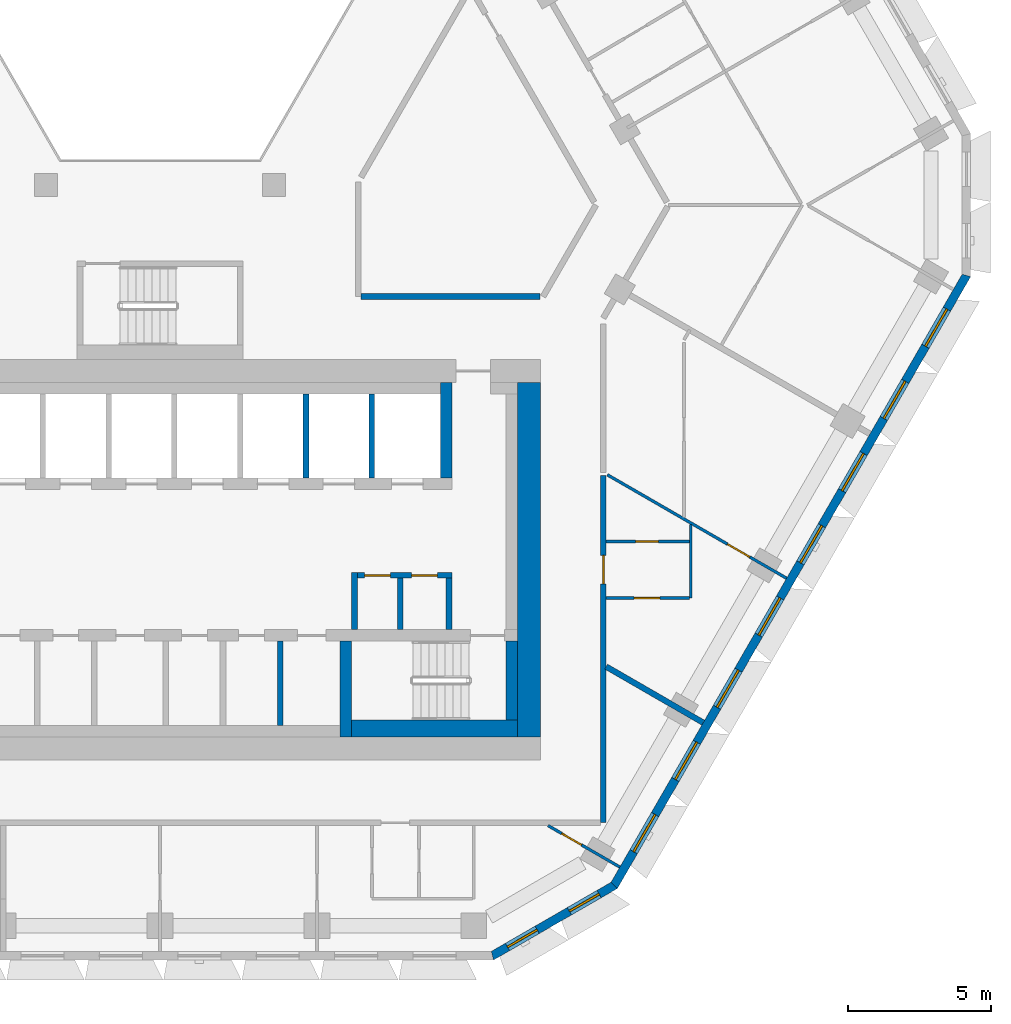
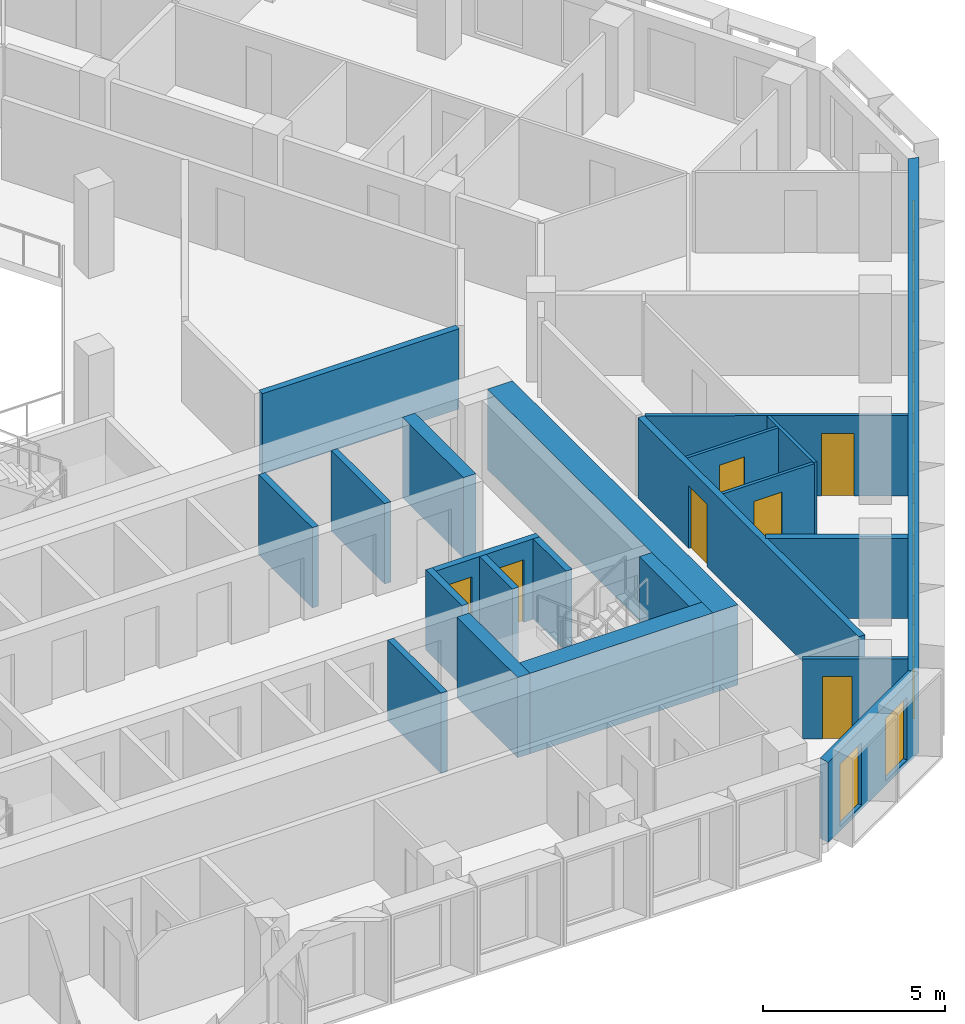
# One storey, part 6 of 18: 22 walls, 10 windows, 7 doors, 17 openings.
"""IFC4 building model written with IfcOpenShell, lengths in metres."""

from ifc_helpers import new_model, si_unit, direction, frame, frame_2d, origin, place, context, subcontext, project, spatial, polyline, rectangle, outline, extrude, material, layer, layer_set, type_object, element, fill, save


model = new_model("IFC4")

# Units and contexts
model_context = context("Model", 3, precision=1e-05, world=origin(), true_north=direction((0.0, 1.0)))
body_context = subcontext(model_context, "Body", "Model", "MODEL_VIEW")
ifc_project = project(units=[si_unit("LENGTHUNIT", "METRE"), si_unit("AREAUNIT", "SQUARE_METRE"), si_unit("VOLUMEUNIT", "CUBIC_METRE"), si_unit("PLANEANGLEUNIT", "RADIAN"), si_unit("MASSUNIT", "GRAM", prefix="KILO")], contexts=[model_context])

# Site, building, storey
site_placement = place(None, origin())
site = spatial("IfcSite", under=ifc_project, at=site_placement, CompositionType="ELEMENT")
building_placement = place(site_placement, origin())
building = spatial("IfcBuilding", under=site, at=building_placement, Name="Beryl Residences", CompositionType="ELEMENT")
storey_placement = place(building_placement, frame((0.0, 0.0, 138.60009765625)))
storey = spatial("IfcBuildingStorey", under=building, at=storey_placement, Name="L42", CompositionType="ELEMENT", Elevation=138.60009765625)

# Wall, openings, windows
ifc_material_1 = material(Name="Composite metal panel with mineral wool insulation")
ifc_layer_1 = layer(ifc_material_1, 0.300048828125)
ifc_layer_set_1 = layer_set([ifc_layer_1], Name="ES1 pale metal composite panel wall 300 mm")
wall_type_1 = type_object("IfcWallType", Name="ES1 pale metal composite panel wall 300 mm", PredefinedType="SOLIDWALL", material=ifc_layer_set_1)
wall_1_placement = place(storey_placement, frame((11.5869140625, -25.8701171875, 0.0), z_axis=(0.0, 0.0, 1.0), x_axis=(0.866022959057, 0.500004234368, 0.0)))
wall_1 = element("IfcWall", 1, at=wall_1_placement, inside=storey, type_object=wall_type_1, Name="ES1 external wall L42 S-SE", PredefinedType="SOLIDWALL", context=body_context, shape_type="SweptSolid", body=[
    extrude(outline(polyline([(0.0, -0.14990234375), (5.0, -0.14990234375), (4.919677734375, 0.14990234375), (0.080322265625, 0.14990234375), (0.0, -0.14990234375)])), origin(), (0.0, 0.0, 1.0), 2.699951171875),
])
opening_1_placement = place(wall_1_placement, frame((0.64990234375, 0.0, 0.14990234375)))
opening_1 = element("IfcOpeningElement", 2, at=opening_1_placement, cuts=wall_1, Name="Opening W2", PredefinedType="OPENING", context=body_context, shape_type="SweptSolid", body=[
    extrude(rectangle(XDim=1.199951171875, YDim=2.10009765625, at=frame_2d((0.60009765625, 1.050048828125))), frame((0.0, 0.159912109375, 0.0), z_axis=(0.0, -1.0, 0.0), x_axis=(1.0, 0.0, 0.0)), (0.0, 0.0, 1.0), 0.320068359375),
])
opening_2_placement = place(wall_1_placement, frame((3.14892578125, 0.0, 0.14990234375)))
opening_2 = element("IfcOpeningElement", 3, at=opening_2_placement, cuts=wall_1, Name="Opening W2", PredefinedType="OPENING", context=body_context, shape_type="SweptSolid", body=[
    extrude(rectangle(XDim=1.199951171875, YDim=2.10009765625, at=frame_2d((0.60009765625, 1.050048828125))), frame((0.0, 0.159912109375, 0.0), z_axis=(0.0, -1.0, 0.0), x_axis=(1.0, 0.0, 0.0)), (0.0, 0.0, 1.0), 0.320068359375),
])
ifc_material_2 = material(Name="Aluminium and clear glass", Category="aluminium")
window_type_1 = type_object("IfcWindowType", Name="W2 chamfer window 1200 x 2100 mm", PartitioningType="SINGLE_PANEL", PredefinedType="WINDOW", material=ifc_material_2)
window_1_placement = place(opening_1_placement, origin())
window_1 = element("IfcWindow", 4, at=window_1_placement, inside=storey, type_object=window_type_1, Name="W2 window L42 S-SE 1", OverallHeight=2.10009765625, OverallWidth=1.199951171875, PartitioningType="SINGLE_PANEL", PredefinedType="WINDOW", context=body_context, shape_type="SweptSolid", body=[
    extrude(rectangle(XDim=1.199951171875, YDim=2.10009765625, at=frame_2d((0.60009765625, 1.050048828125))), frame((0.0, 0.030029296875, 0.0), z_axis=(0.0, -1.0, 0.0), x_axis=(1.0, 0.0, 0.0)), (0.0, 0.0, 1.0), 0.06005859375),
])
fill(opening_1, window_1)
window_2_placement = place(opening_2_placement, origin())
window_2 = element("IfcWindow", 5, at=window_2_placement, inside=storey, type_object=window_type_1, Name="W2 window L42 S-SE 2", OverallHeight=2.10009765625, OverallWidth=1.199951171875, PartitioningType="SINGLE_PANEL", PredefinedType="WINDOW", context=body_context, shape_type="SweptSolid", body=[
    extrude(rectangle(XDim=1.199951171875, YDim=2.10009765625, at=frame_2d((0.60009765625, 1.050048828125))), frame((0.0, 0.030029296875, 0.0), z_axis=(0.0, -1.0, 0.0), x_axis=(1.0, 0.0, 0.0)), (0.0, 0.0, 1.0), 0.06005859375),
])
fill(opening_2, window_2)

wall_2_placement = place(storey_placement, frame((15.862060546875, -23.425048828125, 0.0), z_axis=(0.0, 0.0, 1.0), x_axis=(0.500017503135, 0.866015298109, 0.0)))
wall_2 = element("IfcWall", 6, at=wall_2_placement, inside=storey, type_object=wall_type_1, Name="ES1 external wall L42 SE", PredefinedType="SOLIDWALL", context=body_context, shape_type="SweptSolid", body=[
    extrude(outline(polyline([(0.0, -0.14990234375), (24.7109375, -0.14990234375), (24.630615234375, 0.14990234375), (0.080322265625, 0.14990234375), (0.0, -0.14990234375)])), origin(), (0.0, 0.0, 1.0), 2.699951171875),
])
opening_3_placement = place(wall_2_placement, frame((1.39990234375, 0.0, 0.14990234375)))
opening_3 = element("IfcOpeningElement", 7, at=opening_3_placement, cuts=wall_2, Name="Opening W1", PredefinedType="OPENING", context=body_context, shape_type="SweptSolid", body=[
    extrude(rectangle(XDim=1.5, YDim=2.10009765625, at=frame_2d((0.75, 1.050048828125))), frame((0.0, 0.159912109375, 0.0), z_axis=(0.0, -1.0, 0.0), x_axis=(1.0, 0.0, 0.0)), (0.0, 0.0, 1.0), 0.320068359375),
])
opening_4_placement = place(wall_2_placement, frame((4.31591796875, 0.0, 0.14990234375)))
opening_4 = element("IfcOpeningElement", 8, at=opening_4_placement, cuts=wall_2, Name="Opening W1", PredefinedType="OPENING", context=body_context, shape_type="SweptSolid", body=[
    extrude(rectangle(XDim=1.5, YDim=2.10009765625, at=frame_2d((0.75, 1.050048828125))), frame((0.0, 0.159912109375, 0.0), z_axis=(0.0, -1.0, 0.0), x_axis=(1.0, 0.0, 0.0)), (0.0, 0.0, 1.0), 0.320068359375),
])
opening_5_placement = place(wall_2_placement, frame((7.23095703125, 0.0, 0.14990234375)))
opening_5 = element("IfcOpeningElement", 9, at=opening_5_placement, cuts=wall_2, Name="Opening W1", PredefinedType="OPENING", context=body_context, shape_type="SweptSolid", body=[
    extrude(rectangle(XDim=1.5, YDim=2.10009765625, at=frame_2d((0.75, 1.050048828125))), frame((0.0, 0.159912109375, 0.0), z_axis=(0.0, -1.0, 0.0), x_axis=(1.0, 0.0, 0.0)), (0.0, 0.0, 1.0), 0.320068359375),
])
opening_6_placement = place(wall_2_placement, frame((10.14697265625, 0.0, 0.14990234375)))
opening_6 = element("IfcOpeningElement", 10, at=opening_6_placement, cuts=wall_2, Name="Opening W1", PredefinedType="OPENING", context=body_context, shape_type="SweptSolid", body=[
    extrude(rectangle(XDim=1.5, YDim=2.10009765625, at=frame_2d((0.75, 1.050048828125))), frame((0.0, 0.159912109375, 0.0), z_axis=(0.0, -1.0, 0.0), x_axis=(1.0, 0.0, 0.0)), (0.0, 0.0, 1.0), 0.320068359375),
])
opening_7_placement = place(wall_2_placement, frame((13.06201171875, 0.0, 0.14990234375)))
opening_7 = element("IfcOpeningElement", 11, at=opening_7_placement, cuts=wall_2, Name="Opening W1", PredefinedType="OPENING", context=body_context, shape_type="SweptSolid", body=[
    extrude(rectangle(XDim=1.5, YDim=2.10009765625, at=frame_2d((0.75, 1.050048828125))), frame((0.0, 0.159912109375, 0.0), z_axis=(0.0, -1.0, 0.0), x_axis=(1.0, 0.0, 0.0)), (0.0, 0.0, 1.0), 0.320068359375),
])
opening_8_placement = place(wall_2_placement, frame((15.97705078125, 0.0, 0.14990234375)))
opening_8 = element("IfcOpeningElement", 12, at=opening_8_placement, cuts=wall_2, Name="Opening W1", PredefinedType="OPENING", context=body_context, shape_type="SweptSolid", body=[
    extrude(rectangle(XDim=1.5, YDim=2.10009765625, at=frame_2d((0.75, 1.050048828125))), frame((0.0, 0.159912109375, 0.0), z_axis=(0.0, -1.0, 0.0), x_axis=(1.0, 0.0, 0.0)), (0.0, 0.0, 1.0), 0.320068359375),
])
opening_9_placement = place(wall_2_placement, frame((18.89306640625, 0.0, 0.14990234375)))
opening_9 = element("IfcOpeningElement", 13, at=opening_9_placement, cuts=wall_2, Name="Opening W1", PredefinedType="OPENING", context=body_context, shape_type="SweptSolid", body=[
    extrude(rectangle(XDim=1.5, YDim=2.10009765625, at=frame_2d((0.75, 1.050048828125))), frame((0.0, 0.159912109375, 0.0), z_axis=(0.0, -1.0, 0.0), x_axis=(1.0, 0.0, 0.0)), (0.0, 0.0, 1.0), 0.320068359375),
])
opening_10_placement = place(wall_2_placement, frame((21.80908203125, 0.0, 0.14990234375)))
opening_10 = element("IfcOpeningElement", 14, at=opening_10_placement, cuts=wall_2, Name="Opening W1", PredefinedType="OPENING", context=body_context, shape_type="SweptSolid", body=[
    extrude(rectangle(XDim=1.5, YDim=2.10009765625, at=frame_2d((0.75, 1.050048828125))), frame((0.0, 0.159912109375, 0.0), z_axis=(0.0, -1.0, 0.0), x_axis=(1.0, 0.0, 0.0)), (0.0, 0.0, 1.0), 0.320068359375),
])
ifc_material_3 = material(Name="Aluminium and clear glass", Category="aluminium")
window_type_2 = type_object("IfcWindowType", Name="W1 cell window 1500 x 2100 mm", PartitioningType="SINGLE_PANEL", PredefinedType="WINDOW", material=ifc_material_3)
window_3_placement = place(opening_3_placement, origin())
window_3 = element("IfcWindow", 15, at=window_3_placement, inside=storey, type_object=window_type_2, Name="W1 window L42 SE 1", OverallHeight=2.10009765625, OverallWidth=1.5, PartitioningType="SINGLE_PANEL", PredefinedType="WINDOW", context=body_context, shape_type="SweptSolid", body=[
    extrude(rectangle(XDim=1.5, YDim=2.10009765625, at=frame_2d((0.75, 1.050048828125))), frame((0.0, 0.030029296875, 0.0), z_axis=(0.0, -1.0, 0.0), x_axis=(1.0, 0.0, 0.0)), (0.0, 0.0, 1.0), 0.06005859375),
])
fill(opening_3, window_3)
window_4_placement = place(opening_4_placement, origin())
window_4 = element("IfcWindow", 16, at=window_4_placement, inside=storey, type_object=window_type_2, Name="W1 window L42 SE 2", OverallHeight=2.10009765625, OverallWidth=1.5, PartitioningType="SINGLE_PANEL", PredefinedType="WINDOW", context=body_context, shape_type="SweptSolid", body=[
    extrude(rectangle(XDim=1.5, YDim=2.10009765625, at=frame_2d((0.75, 1.050048828125))), frame((0.0, 0.030029296875, 0.0), z_axis=(0.0, -1.0, 0.0), x_axis=(1.0, 0.0, 0.0)), (0.0, 0.0, 1.0), 0.06005859375),
])
fill(opening_4, window_4)
window_5_placement = place(opening_5_placement, origin())
window_5 = element("IfcWindow", 17, at=window_5_placement, inside=storey, type_object=window_type_2, Name="W1 window L42 SE 3", OverallHeight=2.10009765625, OverallWidth=1.5, PartitioningType="SINGLE_PANEL", PredefinedType="WINDOW", context=body_context, shape_type="SweptSolid", body=[
    extrude(rectangle(XDim=1.5, YDim=2.10009765625, at=frame_2d((0.75, 1.050048828125))), frame((0.0, 0.030029296875, 0.0), z_axis=(0.0, -1.0, 0.0), x_axis=(1.0, 0.0, 0.0)), (0.0, 0.0, 1.0), 0.06005859375),
])
fill(opening_5, window_5)
window_6_placement = place(opening_6_placement, origin())
window_6 = element("IfcWindow", 18, at=window_6_placement, inside=storey, type_object=window_type_2, Name="W1 window L42 SE 4", OverallHeight=2.10009765625, OverallWidth=1.5, PartitioningType="SINGLE_PANEL", PredefinedType="WINDOW", context=body_context, shape_type="SweptSolid", body=[
    extrude(rectangle(XDim=1.5, YDim=2.10009765625, at=frame_2d((0.75, 1.050048828125))), frame((0.0, 0.030029296875, 0.0), z_axis=(0.0, -1.0, 0.0), x_axis=(1.0, 0.0, 0.0)), (0.0, 0.0, 1.0), 0.06005859375),
])
fill(opening_6, window_6)
window_7_placement = place(opening_7_placement, origin())
window_7 = element("IfcWindow", 19, at=window_7_placement, inside=storey, type_object=window_type_2, Name="W1 window L42 SE 5", OverallHeight=2.10009765625, OverallWidth=1.5, PartitioningType="SINGLE_PANEL", PredefinedType="WINDOW", context=body_context, shape_type="SweptSolid", body=[
    extrude(rectangle(XDim=1.5, YDim=2.10009765625, at=frame_2d((0.75, 1.050048828125))), frame((0.0, 0.030029296875, 0.0), z_axis=(0.0, -1.0, 0.0), x_axis=(1.0, 0.0, 0.0)), (0.0, 0.0, 1.0), 0.06005859375),
])
fill(opening_7, window_7)
window_8_placement = place(opening_8_placement, origin())
window_8 = element("IfcWindow", 20, at=window_8_placement, inside=storey, type_object=window_type_2, Name="W1 window L42 SE 6", OverallHeight=2.10009765625, OverallWidth=1.5, PartitioningType="SINGLE_PANEL", PredefinedType="WINDOW", context=body_context, shape_type="SweptSolid", body=[
    extrude(rectangle(XDim=1.5, YDim=2.10009765625, at=frame_2d((0.75, 1.050048828125))), frame((0.0, 0.030029296875, 0.0), z_axis=(0.0, -1.0, 0.0), x_axis=(1.0, 0.0, 0.0)), (0.0, 0.0, 1.0), 0.06005859375),
])
fill(opening_8, window_8)
window_9_placement = place(opening_9_placement, origin())
window_9 = element("IfcWindow", 21, at=window_9_placement, inside=storey, type_object=window_type_2, Name="W1 window L42 SE 7", OverallHeight=2.10009765625, OverallWidth=1.5, PartitioningType="SINGLE_PANEL", PredefinedType="WINDOW", context=body_context, shape_type="SweptSolid", body=[
    extrude(rectangle(XDim=1.5, YDim=2.10009765625, at=frame_2d((0.75, 1.050048828125))), frame((0.0, 0.030029296875, 0.0), z_axis=(0.0, -1.0, 0.0), x_axis=(1.0, 0.0, 0.0)), (0.0, 0.0, 1.0), 0.06005859375),
])
fill(opening_9, window_9)
window_10_placement = place(opening_10_placement, origin())
window_10 = element("IfcWindow", 22, at=window_10_placement, inside=storey, type_object=window_type_2, Name="W1 window L42 SE 8", OverallHeight=2.10009765625, OverallWidth=1.5, PartitioningType="SINGLE_PANEL", PredefinedType="WINDOW", context=body_context, shape_type="SweptSolid", body=[
    extrude(rectangle(XDim=1.5, YDim=2.10009765625, at=frame_2d((0.75, 1.050048828125))), frame((0.0, 0.030029296875, 0.0), z_axis=(0.0, -1.0, 0.0), x_axis=(1.0, 0.0, 0.0)), (0.0, 0.0, 1.0), 0.06005859375),
])
fill(opening_10, window_10)

# Wall, opening, door
ifc_material_4 = material(Name="Gypsum board partition on steel studs", Category="steel")
ifc_layer_2 = layer(ifc_material_4, 0.10009765625)
ifc_layer_set_2 = layer_set([ifc_layer_2], Name="PT1 partition 100 mm gypsum board on steel studs")
wall_type_2 = type_object("IfcWallType", Name="PT1 partition 100 mm gypsum board on steel studs", PredefinedType="PARTITIONING", material=ifc_layer_set_2)
wall_3_placement = place(storey_placement, frame((13.568115234375, -21.300048828125, 0.0), z_axis=(0.0, 0.0, 1.0), x_axis=(0.865885342641, -0.500242514586, 0.0)))
wall_3 = element("IfcWall", 23, at=wall_3_placement, inside=storey, type_object=wall_type_2, Name="Wall PT1 L42 014", PredefinedType="PARTITIONING", context=body_context, shape_type="SweptSolid", body=[
    extrude(rectangle(XDim=2.8984375, YDim=0.10009765625, at=frame_2d((1.44921875, 0.0))), origin(), (0.0, 0.0, 1.0), 2.699951171875),
])
opening_11_placement = place(wall_3_placement, frame((0.550048828125, 0.0, 0.0)))
opening_11 = element("IfcOpeningElement", 24, at=opening_11_placement, cuts=wall_3, Name="Opening D1113", PredefinedType="OPENING", context=body_context, shape_type="SweptSolid", body=[
    extrude(rectangle(XDim=0.800048828125, YDim=2.10009765625, at=frame_2d((0.39990234375, 1.050048828125))), frame((0.0, 0.06005859375, 0.0), z_axis=(0.0, -1.0, 0.0), x_axis=(1.0, 0.0, 0.0)), (0.0, 0.0, 1.0), 0.1201171875),
])
ifc_material_5 = material(Name="Timber door leaf", Category="wood")
door_type_1 = type_object("IfcDoorType", Name="D13 room door 800 x 2100 mm", OperationType="SINGLE_SWING_LEFT", PredefinedType="DOOR", material=ifc_material_5)
door_1_placement = place(opening_11_placement, origin())
door_1 = element("IfcDoor", 25, at=door_1_placement, inside=storey, type_object=door_type_1, Name="Door D1113 L42 001", OperationType="SINGLE_SWING_LEFT", OverallHeight=2.10009765625, OverallWidth=0.800048828125, PredefinedType="DOOR", context=body_context, shape_type="SweptSolid", body=[
    extrude(rectangle(XDim=0.800048828125, YDim=2.10009765625, at=frame_2d((0.39990234375, 1.050048828125))), frame((0.0, 0.02490234375, 0.0), z_axis=(0.0, -1.0, 0.0), x_axis=(1.0, 0.0, 0.0)), (0.0, 0.0, 1.0), 0.050048828125),
])
fill(opening_11, door_1)

wall_4_placement = place(storey_placement, frame((15.64111328125, -9.031982421875, 0.0), z_axis=(0.0, 0.0, 1.0), x_axis=(0.866049104564, -0.499958946799, 0.0)))
wall_4 = element("IfcWall", 26, at=wall_4_placement, inside=storey, type_object=wall_type_2, Name="Wall PT1 L42 016", PredefinedType="PARTITIONING", context=body_context, shape_type="SweptSolid", body=[
    extrude(rectangle(XDim=7.23828125, YDim=0.10009765625, at=frame_2d((3.619140625, 0.0))), origin(), (0.0, 0.0, 1.0), 2.699951171875),
])
opening_12_placement = place(wall_4_placement, frame((4.85400390625, 0.0, 0.0)))
opening_12 = element("IfcOpeningElement", 27, at=opening_12_placement, cuts=wall_4, Name="Opening D1118", PredefinedType="OPENING", context=body_context, shape_type="SweptSolid", body=[
    extrude(rectangle(XDim=0.89990234375, YDim=2.10009765625, at=frame_2d((0.449951171875, 1.050048828125))), frame((0.0, 0.06005859375, 0.0), z_axis=(0.0, -1.0, 0.0), x_axis=(1.0, 0.0, 0.0)), (0.0, 0.0, 1.0), 0.1201171875),
])
ifc_material_6 = material(Name="Timber door leaf", Category="wood")
door_type_2 = type_object("IfcDoorType", Name="D2 room door 900 x 2100 mm", OperationType="SINGLE_SWING_LEFT", PredefinedType="DOOR", material=ifc_material_6)
door_2_placement = place(opening_12_placement, origin())
door_2 = element("IfcDoor", 28, at=door_2_placement, inside=storey, type_object=door_type_2, Name="Door D1118 L42 001", OperationType="SINGLE_SWING_RIGHT", OverallHeight=2.10009765625, OverallWidth=0.89990234375, PredefinedType="DOOR", context=body_context, shape_type="SweptSolid", body=[
    extrude(rectangle(XDim=0.89990234375, YDim=2.10009765625, at=frame_2d((0.449951171875, 1.050048828125))), frame((0.0, 0.02490234375, 0.0), z_axis=(0.0, -1.0, 0.0), x_axis=(1.0, 0.0, 0.0)), (0.0, 0.0, 1.0), 0.050048828125),
])
fill(opening_12, door_2)

wall_5_placement = place(storey_placement, frame((15.60009765625, -11.362060546875, 0.0), z_axis=(0.0, 0.0, 1.0), x_axis=(1.0, 0.0, 0.0)))
wall_5 = element("IfcWall", 29, at=wall_5_placement, inside=storey, type_object=wall_type_2, Name="Wall PT1 L42 019", PredefinedType="PARTITIONING", context=body_context, shape_type="SweptSolid", body=[
    extrude(rectangle(XDim=2.909912109375, YDim=0.10009765625, at=frame_2d((1.455078125, 0.0))), origin(), (0.0, 0.0, 1.0), 2.699951171875),
])
opening_13_placement = place(wall_5_placement, frame((1.030029296875, 0.0, 0.0)))
opening_13 = element("IfcOpeningElement", 30, at=opening_13_placement, cuts=wall_5, Name="Opening D1117", PredefinedType="OPENING", context=body_context, shape_type="SweptSolid", body=[
    extrude(rectangle(XDim=0.800048828125, YDim=2.10009765625, at=frame_2d((0.39990234375, 1.050048828125))), frame((0.0, 0.06005859375, 0.0), z_axis=(0.0, -1.0, 0.0), x_axis=(1.0, 0.0, 0.0)), (0.0, 0.0, 1.0), 0.1201171875),
])
ifc_material_7 = material(Name="Timber door leaf", Category="wood")
door_type_3 = type_object("IfcDoorType", Name="D3 bathroom door 800 x 2100 mm", OperationType="SINGLE_SWING_LEFT", PredefinedType="DOOR", material=ifc_material_7)
door_3_placement = place(opening_13_placement, origin())
door_3 = element("IfcDoor", 31, at=door_3_placement, inside=storey, type_object=door_type_3, Name="Door D1117 L42 001", OperationType="SINGLE_SWING_LEFT", OverallHeight=2.10009765625, OverallWidth=0.800048828125, PredefinedType="DOOR", context=body_context, shape_type="SweptSolid", body=[
    extrude(rectangle(XDim=0.800048828125, YDim=2.10009765625, at=frame_2d((0.39990234375, 1.050048828125))), frame((0.0, 0.02490234375, 0.0), z_axis=(0.0, -1.0, 0.0), x_axis=(1.0, 0.0, 0.0)), (0.0, 0.0, 1.0), 0.050048828125),
])
fill(opening_13, door_3)

wall_6_placement = place(storey_placement, frame((15.60009765625, -13.342041015625, 0.0), z_axis=(0.0, 0.0, 1.0), x_axis=(1.0, 0.0, 0.0)))
wall_6 = element("IfcWall", 32, at=wall_6_placement, inside=storey, type_object=wall_type_2, Name="Wall PT1 L42 020", PredefinedType="PARTITIONING", context=body_context, shape_type="SweptSolid", body=[
    extrude(rectangle(XDim=2.908935546875, YDim=0.10009765625, at=frame_2d((1.45458984375, 0.0))), origin(), (0.0, 0.0, 1.0), 2.699951171875),
])
opening_14_placement = place(wall_6_placement, frame((0.97998046875, 0.0, 0.0)))
opening_14 = element("IfcOpeningElement", 33, at=opening_14_placement, cuts=wall_6, Name="Opening D1116", PredefinedType="OPENING", context=body_context, shape_type="SweptSolid", body=[
    extrude(rectangle(XDim=0.89990234375, YDim=2.10009765625, at=frame_2d((0.449951171875, 1.050048828125))), frame((0.0, 0.06005859375, 0.0), z_axis=(0.0, -1.0, 0.0), x_axis=(1.0, 0.0, 0.0)), (0.0, 0.0, 1.0), 0.1201171875),
])
door_4_placement = place(opening_14_placement, origin())
door_4 = element("IfcDoor", 34, at=door_4_placement, inside=storey, type_object=door_type_2, Name="Door D1116 L42 001", OperationType="SINGLE_SWING_RIGHT", OverallHeight=2.10009765625, OverallWidth=0.89990234375, PredefinedType="DOOR", context=body_context, shape_type="SweptSolid", body=[
    extrude(rectangle(XDim=0.89990234375, YDim=2.10009765625, at=frame_2d((0.449951171875, 1.050048828125))), frame((0.0, 0.02490234375, 0.0), z_axis=(0.0, -1.0, 0.0), x_axis=(1.0, 0.0, 0.0)), (0.0, 0.0, 1.0), 0.050048828125),
])
fill(opening_14, door_4)

# Walls
wall_7_placement = place(storey_placement, frame((18.56005859375, -13.341064453125, 0.0), z_axis=(0.0, 0.0, 1.0), x_axis=(0.0, 1.0, 0.0)))
element("IfcWall", 35, at=wall_7_placement, inside=storey, type_object=wall_type_2, Name="Wall PT1 L42 043", PredefinedType="PARTITIONING", context=body_context, shape_type="SweptSolid", body=[
    extrude(rectangle(XDim=2.566162109375, YDim=0.10009765625, at=frame_2d((1.283203125, 0.0))), origin(), (0.0, 0.0, 1.0), 2.699951171875),
])
ifc_material_8 = material(Name="Concrete masonry", Category="masonry")
ifc_layer_3 = layer(ifc_material_8, 0.199951171875)
ifc_layer_set_3 = layer_set([ifc_layer_3], Name="PT13 lobby wall 200 mm")
wall_type_3 = type_object("IfcWallType", Name="PT13 lobby wall 200 mm", PredefinedType="PARTITIONING", material=ifc_layer_set_3)
wall_8_placement = place(storey_placement, frame((6.800048828125, -14.449951171875, 0.0), z_axis=(0.0, 0.0, 1.0), x_axis=(0.0, 1.0, 0.0)))
element("IfcWall", 36, at=wall_8_placement, inside=storey, type_object=wall_type_3, Name="Lobby wall 25", PredefinedType="PARTITIONING", context=body_context, shape_type="SweptSolid", body=[
    extrude(rectangle(XDim=2.0, YDim=0.199951171875, at=frame_2d((1.0, 0.0))), origin(), (0.0, 0.0, 1.0), 2.699951171875),
])

# Wall, openings, doors
wall_9_placement = place(storey_placement, frame((6.89990234375, -12.550048828125, 0.0), z_axis=(0.0, 0.0, 1.0), x_axis=(1.0, 0.0, 0.0)))
wall_9 = element("IfcWall", 37, at=wall_9_placement, inside=storey, type_object=wall_type_3, Name="Lobby wall 26", PredefinedType="PARTITIONING", context=body_context, shape_type="SweptSolid", body=[
    extrude(rectangle(XDim=3.300048828125, YDim=0.199951171875, at=frame_2d((1.64990234375, 0.0))), origin(), (0.0, 0.0, 1.0), 2.699951171875),
])
opening_15_placement = place(wall_9_placement, frame((1.14990234375, 0.0, 0.0), z_axis=(0.0, 0.0, 1.0), x_axis=(-1.0, 0.0, 0.0)))
opening_15 = element("IfcOpeningElement", 38, at=opening_15_placement, cuts=wall_9, Name="Opening CD-D-A1-900", PredefinedType="OPENING", context=body_context, shape_type="SweptSolid", body=[
    extrude(rectangle(XDim=0.89990234375, YDim=2.10009765625, at=frame_2d((0.449951171875, 1.050048828125))), frame((0.0, 0.10986328125, 0.0), z_axis=(0.0, -1.0, 0.0), x_axis=(1.0, 0.0, 0.0)), (0.0, 0.0, 1.0), 0.219970703125),
])
opening_16_placement = place(wall_9_placement, frame((2.7998046875, 0.0, 0.0), z_axis=(0.0, 0.0, 1.0), x_axis=(-1.0, 0.0, 0.0)))
opening_16 = element("IfcOpeningElement", 39, at=opening_16_placement, cuts=wall_9, Name="Opening CD-D-A2-900", PredefinedType="OPENING", context=body_context, shape_type="SweptSolid", body=[
    extrude(rectangle(XDim=0.89990234375, YDim=2.10009765625, at=frame_2d((0.449951171875, 1.050048828125))), frame((0.0, 0.10986328125, 0.0), z_axis=(0.0, -1.0, 0.0), x_axis=(1.0, 0.0, 0.0)), (0.0, 0.0, 1.0), 0.219970703125),
])
ifc_material_9 = material(Name="Steel door leaf in steel frame", Category="steel")
door_type_4 = type_object("IfcDoorType", Name="D6 service room door 900 x 2100 mm", OperationType="SINGLE_SWING_LEFT", PredefinedType="DOOR", material=ifc_material_9)
door_5_placement = place(opening_15_placement, origin())
door_5 = element("IfcDoor", 40, at=door_5_placement, inside=storey, type_object=door_type_4, Name="Door CD-D-A1-900 L42 001", OperationType="SINGLE_SWING_RIGHT", OverallHeight=2.10009765625, OverallWidth=0.89990234375, PredefinedType="DOOR", context=body_context, shape_type="SweptSolid", body=[
    extrude(rectangle(XDim=0.89990234375, YDim=2.10009765625, at=frame_2d((0.449951171875, 1.050048828125))), frame((0.0, 0.02490234375, 0.0), z_axis=(0.0, -1.0, 0.0), x_axis=(1.0, 0.0, 0.0)), (0.0, 0.0, 1.0), 0.050048828125),
])
fill(opening_15, door_5)
door_6_placement = place(opening_16_placement, origin())
door_6 = element("IfcDoor", 41, at=door_6_placement, inside=storey, type_object=door_type_4, Name="Door CD-D-A2-900 L42 001", OperationType="SINGLE_SWING_LEFT", OverallHeight=2.10009765625, OverallWidth=0.89990234375, PredefinedType="DOOR", context=body_context, shape_type="SweptSolid", body=[
    extrude(rectangle(XDim=0.89990234375, YDim=2.10009765625, at=frame_2d((0.449951171875, 1.050048828125))), frame((0.0, 0.02490234375, 0.0), z_axis=(0.0, -1.0, 0.0), x_axis=(1.0, 0.0, 0.0)), (0.0, 0.0, 1.0), 0.050048828125),
])
fill(opening_16, door_6)

# Walls
wall_10_placement = place(storey_placement, frame((10.10009765625, -14.449951171875, 0.0), z_axis=(0.0, 0.0, 1.0), x_axis=(0.0, 1.0, 0.0)))
element("IfcWall", 42, at=wall_10_placement, inside=storey, type_object=wall_type_3, Name="Lobby wall 29", PredefinedType="PARTITIONING", context=body_context, shape_type="SweptSolid", body=[
    extrude(rectangle(XDim=1.800048828125, YDim=0.199951171875, at=frame_2d((0.89990234375, 0.0))), origin(), (0.0, 0.0, 1.0), 2.699951171875),
])
ifc_material_10 = material(Name="Acoustic double stud gypsum board wall")
ifc_layer_4 = layer(ifc_material_10, 0.199951171875)
ifc_layer_set_4 = layer_set([ifc_layer_4], Name="PT3 party wall 200 mm acoustic double stud")
wall_type_4 = type_object("IfcWallType", Name="PT3 party wall 200 mm acoustic double stud", PredefinedType="PARTITIONING", material=ifc_layer_set_4)
wall_11_placement = place(storey_placement, frame((15.60009765625, -15.740966796875, 0.0), z_axis=(0.0, 0.0, 1.0), x_axis=(0.865964599155, -0.500105301922, 0.0)))
element("IfcWall", 43, at=wall_11_placement, inside=storey, type_object=wall_type_4, Name="Wall PT3 L42 005", PredefinedType="PARTITIONING", context=body_context, shape_type="SweptSolid", body=[
    extrude(rectangle(XDim=3.919189453125, YDim=0.199951171875, at=frame_2d((1.95947265625, 0.0))), origin(), (0.0, 0.0, 1.0), 2.699951171875),
])
ifc_material_11 = material(Name="Double stud gypsum board wall")
ifc_layer_5 = layer(ifc_material_11, 0.199951171875)
ifc_layer_set_5 = layer_set([ifc_layer_5], Name="PT4 corridor wall 200 mm double stud")
wall_type_5 = type_object("IfcWallType", Name="PT4 corridor wall 200 mm double stud", PredefinedType="PARTITIONING", material=ifc_layer_set_5)
wall_12_placement = place(storey_placement, frame((7.028076171875, -2.800048828125, 0.0), z_axis=(0.0, 0.0, 1.0), x_axis=(1.0, 0.0, 0.0)))
element("IfcWall", 44, at=wall_12_placement, inside=storey, type_object=wall_type_5, Name="Wall PT4 L42 014", PredefinedType="PARTITIONING", context=body_context, shape_type="SweptSolid", body=[
    extrude(rectangle(XDim=6.25, YDim=0.199951171875, at=frame_2d((3.125, 0.0))), origin(), (0.0, 0.0, 1.0), 2.699951171875),
])

# Wall, opening, door
wall_13_placement = place(storey_placement, frame((15.5, -21.198974609375, 0.0), z_axis=(0.0, 0.0, 1.0), x_axis=(0.0, 1.0, 0.0)))
wall_13 = element("IfcWall", 45, at=wall_13_placement, inside=storey, type_object=wall_type_5, Name="Wall PT4 L42 025", PredefinedType="PARTITIONING", context=body_context, shape_type="SweptSolid", body=[
    extrude(rectangle(XDim=12.14697265625, YDim=0.199951171875, at=frame_2d((6.073486328125, 0.0))), origin(), (0.0, 0.0, 1.0), 2.699951171875),
])
opening_17_placement = place(wall_13_placement, frame((8.347900390625, 0.0, 0.0)))
opening_17 = element("IfcOpeningElement", 46, at=opening_17_placement, cuts=wall_13, Name="Opening D1115", PredefinedType="OPENING", context=body_context, shape_type="SweptSolid", body=[
    extrude(rectangle(XDim=1.0, YDim=2.10009765625, at=frame_2d((0.5, 1.050048828125))), frame((0.0, 0.10986328125, 0.0), z_axis=(0.0, -1.0, 0.0), x_axis=(1.0, 0.0, 0.0)), (0.0, 0.0, 1.0), 0.219970703125),
])
ifc_material_12 = material(Name="Timber door leaf", Category="wood")
door_type_5 = type_object("IfcDoorType", Name="D1 flat entrance door 1000 x 2100 mm", OperationType="SINGLE_SWING_LEFT", PredefinedType="DOOR", material=ifc_material_12)
door_7_placement = place(opening_17_placement, origin())
door_7 = element("IfcDoor", 47, at=door_7_placement, inside=storey, type_object=door_type_5, Name="Door D1115 L42 001", OperationType="SINGLE_SWING_LEFT", OverallHeight=2.10009765625, OverallWidth=1.0, PredefinedType="DOOR", context=body_context, shape_type="SweptSolid", body=[
    extrude(rectangle(XDim=1.0, YDim=2.10009765625, at=frame_2d((0.5, 1.050048828125))), frame((0.0, 0.02490234375, 0.0), z_axis=(0.0, -1.0, 0.0), x_axis=(1.0, 0.0, 0.0)), (0.0, 0.0, 1.0), 0.050048828125),
])
fill(opening_17, door_7)

# Walls
ifc_material_13 = material(Name="Concrete C40/50", Category="concrete")
ifc_layer_6 = layer(ifc_material_13, 0.39990234375)
ifc_layer_set_6 = layer_set([ifc_layer_6], Name="PT5-400 stair enclosure wall 400 mm")
wall_type_6 = type_object("IfcWallType", Name="PT5-400 stair enclosure wall 400 mm", PredefinedType="SOLIDWALL", material=ifc_layer_set_6)
wall_14_placement = place(storey_placement, frame((12.300048828125, -17.60009765625, 0.0), z_axis=(0.0, 0.0, 1.0), x_axis=(0.0, 1.0, 0.0)))
element("IfcWall", 48, at=wall_14_placement, inside=storey, type_object=wall_type_6, Name="Stair wall 31", PredefinedType="SOLIDWALL", context=body_context, shape_type="SweptSolid", body=[
    extrude(rectangle(XDim=2.75, YDim=0.39990234375, at=frame_2d((1.375, 0.0))), origin(), (0.0, 0.0, 1.0), 2.699951171875),
])
ifc_material_14 = material(Name="Concrete C40/50", Category="concrete")
ifc_layer_7 = layer(ifc_material_14, 0.60009765625)
ifc_layer_set_7 = layer_set([ifc_layer_7], Name="PT5-600 stair enclosure wall 600 mm")
wall_type_7 = type_object("IfcWallType", Name="PT5-600 stair enclosure wall 600 mm", PredefinedType="SOLIDWALL", material=ifc_layer_set_7)
wall_15_placement = place(storey_placement, frame((6.699951171875, -17.89990234375, 0.0), z_axis=(0.0, 0.0, 1.0), x_axis=(1.0, 0.0, 0.0)))
element("IfcWall", 49, at=wall_15_placement, inside=storey, type_object=wall_type_7, Name="Stair wall 24", PredefinedType="SOLIDWALL", context=body_context, shape_type="SweptSolid", body=[
    extrude(rectangle(XDim=5.800048828125, YDim=0.60009765625, at=frame_2d((2.89990234375, 0.0))), origin(), (0.0, 0.0, 1.0), 2.699951171875),
])
ifc_material_15 = material(Name="Concrete C40/50", Category="concrete")
ifc_layer_8 = layer(ifc_material_15, 0.199951171875)
ifc_layer_set_8 = layer_set([ifc_layer_8], Name="PT6 lift shaft wall 200 mm reinforced concrete C40/50")
wall_type_8 = type_object("IfcWallType", Name="PT6 lift shaft wall 200 mm reinforced concrete C40/50", PredefinedType="SOLIDWALL", material=ifc_layer_set_8)
for number, where, z_axis, x_axis, name in (
    (50, (5.10009765625, -9.14990234375, 0.0), (0.0, 0.0, 1.0), (0.0, 1.0, 0.0), "Lift shaft wall 23"),
    (51, (7.39990234375, -9.14990234375, 0.0), (0.0, 0.0, 1.0), (0.0, 1.0, 0.0), "Lift shaft wall 27"),
):
    element("IfcWall", number, at=place(storey_placement, frame(where, z_axis=z_axis, x_axis=x_axis)), inside=storey, type_object=wall_type_8, Name=name, PredefinedType="SOLIDWALL", context=body_context, shape_type="SweptSolid", body=[
        extrude(rectangle(XDim=2.949951171875, YDim=0.199951171875, at=frame_2d((1.47509765625, 0.0))), origin(), (0.0, 0.0, 1.0), 2.699951171875),
    ])
ifc_material_16 = material(Name="Concrete masonry", Category="masonry")
ifc_layer_9 = layer(ifc_material_16, 0.199951171875)
ifc_layer_set_9 = layer_set([ifc_layer_9], Name="PT8-200 service room wall 200 mm")
wall_type_9 = type_object("IfcWallType", Name="PT8-200 service room wall 200 mm", PredefinedType="PARTITIONING", material=ifc_layer_set_9)
wall_16_placement = place(storey_placement, frame((4.199951171875, -17.800048828125, 0.0), z_axis=(0.0, 0.0, 1.0), x_axis=(0.0, 1.0, 0.0)))
element("IfcWall", 52, at=wall_16_placement, inside=storey, type_object=wall_type_9, Name="Core room wall 22", PredefinedType="PARTITIONING", context=body_context, shape_type="SweptSolid", body=[
    extrude(rectangle(XDim=2.949951171875, YDim=0.199951171875, at=frame_2d((1.47509765625, 0.0))), origin(), (0.0, 0.0, 1.0), 2.699951171875),
])
wall_17_placement = place(storey_placement, frame((8.39990234375, -14.449951171875, 0.0), z_axis=(0.0, 0.0, 1.0), x_axis=(0.0, 1.0, 0.0)))
element("IfcWall", 53, at=wall_17_placement, inside=storey, type_object=wall_type_9, Name="Core room wall 28", PredefinedType="PARTITIONING", context=body_context, shape_type="SweptSolid", body=[
    extrude(rectangle(XDim=1.800048828125, YDim=0.199951171875, at=frame_2d((0.89990234375, 0.0))), origin(), (0.0, 0.0, 1.0), 2.699951171875),
])
ifc_material_17 = material(Name="Concrete C60/75", Category="concrete")
ifc_layer_10 = layer(ifc_material_17, 0.800048828125)
ifc_layer_set_10 = layer_set([ifc_layer_10], Name="SW3 core outer wall 800 mm C60/75")
wall_type_10 = type_object("IfcWallType", Name="SW3 core outer wall 800 mm C60/75", PredefinedType="SHEAR", material=ifc_layer_set_10)
wall_18_placement = place(storey_placement, frame((12.89990234375, -18.199951171875, 0.0), z_axis=(0.0, 0.0, 1.0), x_axis=(0.0, 1.0, 0.0)))
element("IfcWall", 54, at=wall_18_placement, inside=storey, type_object=wall_type_10, Name="Core wall E L42", PredefinedType="SHEAR", context=body_context, shape_type="SweptSolid", body=[
    extrude(rectangle(XDim=12.39990234375, YDim=0.800048828125, at=frame_2d((6.199951171875, 0.0))), origin(), (0.0, 0.0, 1.0), 2.699951171875),
])
ifc_material_18 = material(Name="Concrete C60/75", Category="concrete")
ifc_layer_11 = layer(ifc_material_18, 0.39990234375)
ifc_layer_set_11 = layer_set([ifc_layer_11], Name="SW8 core internal wall 400 mm C60/75")
wall_type_11 = type_object("IfcWallType", Name="SW8 core internal wall 400 mm C60/75", PredefinedType="SHEAR", material=ifc_layer_set_11)
for number, where, z_axis, x_axis, name in (
    (55, (6.5, -18.199951171875, 0.0), (0.0, 0.0, 1.0), (0.0, 1.0, 0.0), "Core wall XS2 L42"),
    (56, (10.0, -9.14990234375, 0.0), (0.0, 0.0, 1.0), (0.0, 1.0, 0.0), "Core wall XN2 L42"),
):
    element("IfcWall", number, at=place(storey_placement, frame(where, z_axis=z_axis, x_axis=x_axis)), inside=storey, type_object=wall_type_11, Name=name, PredefinedType="SHEAR", context=body_context, shape_type="SweptSolid", body=[
        extrude(rectangle(XDim=3.349853515625, YDim=0.39990234375, at=frame_2d((1.6748046875, 0.0))), origin(), (0.0, 0.0, 1.0), 2.699951171875),
    ])

save(model, "model.ifc")
